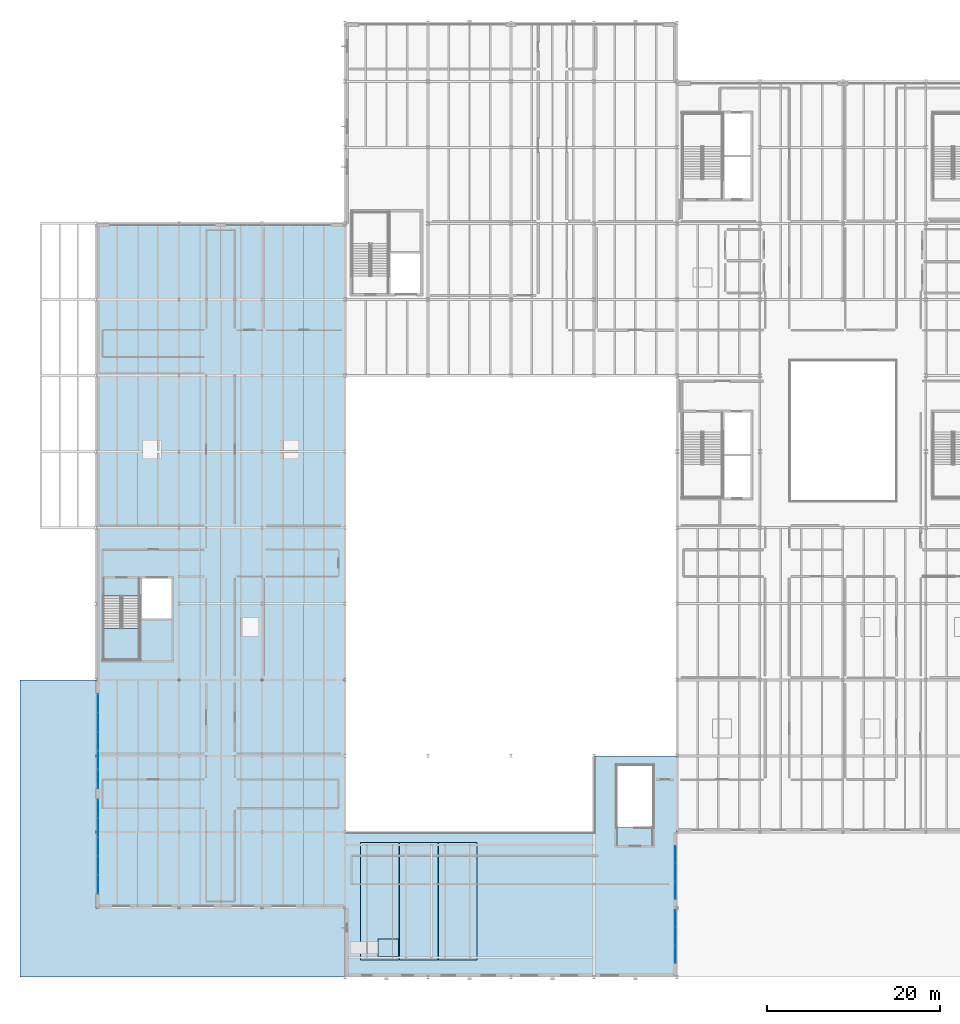
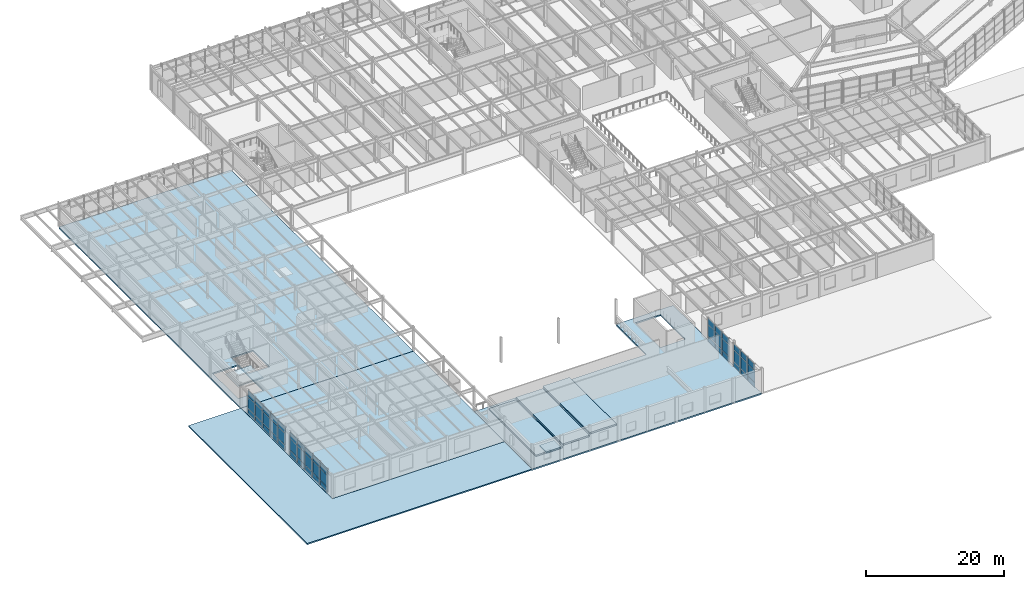
# One storey, part 46 of 77: 48 plates, 9 slabs, 5 elements without a shape of their own.
"""IFC4 building model written with IfcOpenShell, lengths in metres."""

from ifc_helpers import new_model, si_unit, direction, frame, origin, origin_2d, place, context, subcontext, project, spatial, polyline, rectangle, outline, extrude, material, layer, layer_set, type_object, element, aggregate, save


model = new_model("IFC4")

# Units and contexts
model_context = context("Model", 3, precision=1e-05, world=origin(), true_north=direction((0.0, 1.0)))
body_context = subcontext(model_context, "Body", "Model", "MODEL_VIEW")
ifc_project = project(units=[si_unit("LENGTHUNIT", "METRE"), si_unit("AREAUNIT", "SQUARE_METRE"), si_unit("VOLUMEUNIT", "CUBIC_METRE"), si_unit("PLANEANGLEUNIT", "RADIAN"), si_unit("MASSUNIT", "GRAM", prefix="KILO")], contexts=[model_context])

# Site, building, storey
site_placement = place(None, origin())
site = spatial("IfcSite", under=ifc_project, at=site_placement, CompositionType="ELEMENT")
building_placement = place(site_placement, origin())
building = spatial("IfcBuilding", under=site, at=building_placement, Name="Sarnbrook Museum", CompositionType="ELEMENT")
storey_placement = place(building_placement, frame((0.0, 0.0, 5.60009765625)))
storey = spatial("IfcBuildingStorey", under=building, at=storey_placement, Name="L01", CompositionType="ELEMENT", Elevation=5.60009765625)

# Curtain wall, plates
ifc_material_1 = material(Name="Thermally Broken Anodised Aluminium 6063-T6", Category="aluminium")
curtain_wall_type = type_object("IfcCurtainWallType", Name="CurtainWall_GalleryRibbon", PredefinedType="NOTDEFINED", material=ifc_material_1)
curtain_wall_1_placement = place(storey_placement, origin())
curtain_wall_1 = element("IfcCurtainWall", 1, at=curtain_wall_1_placement, inside=storey, type_object=curtain_wall_type, Name="Gallery Ribbon Curtain Wall L01-12.1", PredefinedType="NOTDEFINED")
ifc_material_2 = material(Name="Double-Glazed Low-Iron Laminated Safety Glass", Category="glass")
ifc_layer_1 = layer(ifc_material_2, 0.031982421875)
ifc_layer_set_1 = layer_set([ifc_layer_1], Name="Double-Glazed Low-Iron Laminated Safety Glass")
plate_type_1 = type_object("IfcPlateType", Name="CW_GlazedPanel_32", PredefinedType="CURTAIN_PANEL", material=ifc_layer_set_1)
plate_1_placement = place(storey_placement, frame((13.81787109375, 36.48388671875, 1.949951171875), z_axis=(-1.0, 0.0, 0.0), x_axis=(0.0, -1.0, 0.0)))
plate_1 = element("IfcPlate", 2, at=plate_1_placement, type_object=plate_type_1, Name="Gallery Ribbon Curtain Wall L01-12.1 Glazed Panel 1-2", PredefinedType="CURTAIN_PANEL", context=body_context, shape_type="SweptSolid", body=[
    extrude(rectangle(XDim=2.116943359375, YDim=2.030029296875, at=origin_2d()), origin(), (0.0, 0.0, 1.0), 0.031982421875),
])
plate_2_placement = place(storey_placement, frame((13.81787109375, 36.48388671875, 3.579833984375), z_axis=(-1.0, 0.0, 0.0), x_axis=(0.0, -1.0, 0.0)))
plate_2 = element("IfcPlate", 3, at=plate_2_placement, type_object=plate_type_1, Name="Gallery Ribbon Curtain Wall L01-12.1 Glazed Panel 1-3", PredefinedType="CURTAIN_PANEL", context=body_context, shape_type="SweptSolid", body=[
    extrude(rectangle(XDim=2.116943359375, YDim=1.090087890625, at=origin_2d()), origin(), (0.0, 0.0, 1.0), 0.031982421875),
])
plate_3_placement = place(storey_placement, frame((13.81787109375, 34.2919921875, 1.949951171875), z_axis=(-1.0, 0.0, 0.0), x_axis=(0.0, -1.0, 0.0)))
plate_3 = element("IfcPlate", 4, at=plate_3_placement, type_object=plate_type_1, Name="Gallery Ribbon Curtain Wall L01-12.1 Glazed Panel 2-2", PredefinedType="CURTAIN_PANEL", context=body_context, shape_type="SweptSolid", body=[
    extrude(rectangle(XDim=2.116943359375, YDim=2.030029296875, at=origin_2d()), origin(), (0.0, 0.0, 1.0), 0.031982421875),
])
plate_4_placement = place(storey_placement, frame((13.81787109375, 34.2919921875, 3.579833984375), z_axis=(-1.0, 0.0, 0.0), x_axis=(0.0, -1.0, 0.0)))
plate_4 = element("IfcPlate", 5, at=plate_4_placement, type_object=plate_type_1, Name="Gallery Ribbon Curtain Wall L01-12.1 Glazed Panel 2-3", PredefinedType="CURTAIN_PANEL", context=body_context, shape_type="SweptSolid", body=[
    extrude(rectangle(XDim=2.116943359375, YDim=1.090087890625, at=origin_2d()), origin(), (0.0, 0.0, 1.0), 0.031982421875),
])
plate_5_placement = place(storey_placement, frame((13.81787109375, 32.10009765625, 1.949951171875), z_axis=(-1.0, 0.0, 0.0), x_axis=(0.0, -1.0, 0.0)))
plate_5 = element("IfcPlate", 6, at=plate_5_placement, type_object=plate_type_1, Name="Gallery Ribbon Curtain Wall L01-12.1 Glazed Panel 3-2", PredefinedType="CURTAIN_PANEL", context=body_context, shape_type="SweptSolid", body=[
    extrude(rectangle(XDim=2.116943359375, YDim=2.030029296875, at=origin_2d()), origin(), (0.0, 0.0, 1.0), 0.031982421875),
])
plate_6_placement = place(storey_placement, frame((13.81787109375, 32.10009765625, 3.579833984375), z_axis=(-1.0, 0.0, 0.0), x_axis=(0.0, -1.0, 0.0)))
plate_6 = element("IfcPlate", 7, at=plate_6_placement, type_object=plate_type_1, Name="Gallery Ribbon Curtain Wall L01-12.1 Glazed Panel 3-3", PredefinedType="CURTAIN_PANEL", context=body_context, shape_type="SweptSolid", body=[
    extrude(rectangle(XDim=2.116943359375, YDim=1.090087890625, at=origin_2d()), origin(), (0.0, 0.0, 1.0), 0.031982421875),
])
plate_7_placement = place(storey_placement, frame((13.81787109375, 29.907958984375, 1.949951171875), z_axis=(-1.0, 0.0, 0.0), x_axis=(0.0, -1.0, 0.0)))
plate_7 = element("IfcPlate", 8, at=plate_7_placement, type_object=plate_type_1, Name="Gallery Ribbon Curtain Wall L01-12.1 Glazed Panel 4-2", PredefinedType="CURTAIN_PANEL", context=body_context, shape_type="SweptSolid", body=[
    extrude(rectangle(XDim=2.116943359375, YDim=2.030029296875, at=origin_2d()), origin(), (0.0, 0.0, 1.0), 0.031982421875),
])
plate_8_placement = place(storey_placement, frame((13.81787109375, 29.907958984375, 3.579833984375), z_axis=(-1.0, 0.0, 0.0), x_axis=(0.0, -1.0, 0.0)))
plate_8 = element("IfcPlate", 9, at=plate_8_placement, type_object=plate_type_1, Name="Gallery Ribbon Curtain Wall L01-12.1 Glazed Panel 4-3", PredefinedType="CURTAIN_PANEL", context=body_context, shape_type="SweptSolid", body=[
    extrude(rectangle(XDim=2.116943359375, YDim=1.090087890625, at=origin_2d()), origin(), (0.0, 0.0, 1.0), 0.031982421875),
])
plate_9_placement = place(storey_placement, frame((13.81787109375, 27.716064453125, 1.949951171875), z_axis=(-1.0, 0.0, 0.0), x_axis=(0.0, -1.0, 0.0)))
plate_9 = element("IfcPlate", 10, at=plate_9_placement, type_object=plate_type_1, Name="Gallery Ribbon Curtain Wall L01-12.1 Glazed Panel 5-2", PredefinedType="CURTAIN_PANEL", context=body_context, shape_type="SweptSolid", body=[
    extrude(rectangle(XDim=2.116943359375, YDim=2.030029296875, at=origin_2d()), origin(), (0.0, 0.0, 1.0), 0.031982421875),
])
plate_10_placement = place(storey_placement, frame((13.81787109375, 27.716064453125, 3.579833984375), z_axis=(-1.0, 0.0, 0.0), x_axis=(0.0, -1.0, 0.0)))
plate_10 = element("IfcPlate", 11, at=plate_10_placement, type_object=plate_type_1, Name="Gallery Ribbon Curtain Wall L01-12.1 Glazed Panel 5-3", PredefinedType="CURTAIN_PANEL", context=body_context, shape_type="SweptSolid", body=[
    extrude(rectangle(XDim=2.116943359375, YDim=1.090087890625, at=origin_2d()), origin(), (0.0, 0.0, 1.0), 0.031982421875),
])

curtain_wall_2_placement = place(storey_placement, origin())
curtain_wall_2 = element("IfcCurtainWall", 12, at=curtain_wall_2_placement, inside=storey, type_object=curtain_wall_type, Name="Gallery Ribbon Curtain Wall L01-12.2", PredefinedType="NOTDEFINED")
plate_11_placement = place(storey_placement, frame((13.81787109375, 24.283935546875, 1.949951171875), z_axis=(-1.0, 0.0, 0.0), x_axis=(0.0, -1.0, 0.0)))
plate_11 = element("IfcPlate", 13, at=plate_11_placement, type_object=plate_type_1, Name="Gallery Ribbon Curtain Wall L01-12.2 Glazed Panel 1-2", PredefinedType="CURTAIN_PANEL", context=body_context, shape_type="SweptSolid", body=[
    extrude(rectangle(XDim=2.116943359375, YDim=2.030029296875, at=origin_2d()), origin(), (0.0, 0.0, 1.0), 0.031982421875),
])
plate_12_placement = place(storey_placement, frame((13.81787109375, 24.283935546875, 3.579833984375), z_axis=(-1.0, 0.0, 0.0), x_axis=(0.0, -1.0, 0.0)))
plate_12 = element("IfcPlate", 14, at=plate_12_placement, type_object=plate_type_1, Name="Gallery Ribbon Curtain Wall L01-12.2 Glazed Panel 1-3", PredefinedType="CURTAIN_PANEL", context=body_context, shape_type="SweptSolid", body=[
    extrude(rectangle(XDim=2.116943359375, YDim=1.090087890625, at=origin_2d()), origin(), (0.0, 0.0, 1.0), 0.031982421875),
])
plate_13_placement = place(storey_placement, frame((13.81787109375, 22.092041015625, 1.949951171875), z_axis=(-1.0, 0.0, 0.0), x_axis=(0.0, -1.0, 0.0)))
plate_13 = element("IfcPlate", 15, at=plate_13_placement, type_object=plate_type_1, Name="Gallery Ribbon Curtain Wall L01-12.2 Glazed Panel 2-2", PredefinedType="CURTAIN_PANEL", context=body_context, shape_type="SweptSolid", body=[
    extrude(rectangle(XDim=2.116943359375, YDim=2.030029296875, at=origin_2d()), origin(), (0.0, 0.0, 1.0), 0.031982421875),
])
plate_14_placement = place(storey_placement, frame((13.81787109375, 22.092041015625, 3.579833984375), z_axis=(-1.0, 0.0, 0.0), x_axis=(0.0, -1.0, 0.0)))
plate_14 = element("IfcPlate", 16, at=plate_14_placement, type_object=plate_type_1, Name="Gallery Ribbon Curtain Wall L01-12.2 Glazed Panel 2-3", PredefinedType="CURTAIN_PANEL", context=body_context, shape_type="SweptSolid", body=[
    extrude(rectangle(XDim=2.116943359375, YDim=1.090087890625, at=origin_2d()), origin(), (0.0, 0.0, 1.0), 0.031982421875),
])
plate_15_placement = place(storey_placement, frame((13.81787109375, 19.89990234375, 1.949951171875), z_axis=(-1.0, 0.0, 0.0), x_axis=(0.0, -1.0, 0.0)))
plate_15 = element("IfcPlate", 17, at=plate_15_placement, type_object=plate_type_1, Name="Gallery Ribbon Curtain Wall L01-12.2 Glazed Panel 3-2", PredefinedType="CURTAIN_PANEL", context=body_context, shape_type="SweptSolid", body=[
    extrude(rectangle(XDim=2.116943359375, YDim=2.030029296875, at=origin_2d()), origin(), (0.0, 0.0, 1.0), 0.031982421875),
])
plate_16_placement = place(storey_placement, frame((13.81787109375, 19.89990234375, 3.579833984375), z_axis=(-1.0, 0.0, 0.0), x_axis=(0.0, -1.0, 0.0)))
plate_16 = element("IfcPlate", 18, at=plate_16_placement, type_object=plate_type_1, Name="Gallery Ribbon Curtain Wall L01-12.2 Glazed Panel 3-3", PredefinedType="CURTAIN_PANEL", context=body_context, shape_type="SweptSolid", body=[
    extrude(rectangle(XDim=2.116943359375, YDim=1.090087890625, at=origin_2d()), origin(), (0.0, 0.0, 1.0), 0.031982421875),
])
plate_17_placement = place(storey_placement, frame((13.81787109375, 17.7080078125, 1.949951171875), z_axis=(-1.0, 0.0, 0.0), x_axis=(0.0, -1.0, 0.0)))
plate_17 = element("IfcPlate", 19, at=plate_17_placement, type_object=plate_type_1, Name="Gallery Ribbon Curtain Wall L01-12.2 Glazed Panel 4-2", PredefinedType="CURTAIN_PANEL", context=body_context, shape_type="SweptSolid", body=[
    extrude(rectangle(XDim=2.116943359375, YDim=2.030029296875, at=origin_2d()), origin(), (0.0, 0.0, 1.0), 0.031982421875),
])
plate_18_placement = place(storey_placement, frame((13.81787109375, 17.7080078125, 3.579833984375), z_axis=(-1.0, 0.0, 0.0), x_axis=(0.0, -1.0, 0.0)))
plate_18 = element("IfcPlate", 20, at=plate_18_placement, type_object=plate_type_1, Name="Gallery Ribbon Curtain Wall L01-12.2 Glazed Panel 4-3", PredefinedType="CURTAIN_PANEL", context=body_context, shape_type="SweptSolid", body=[
    extrude(rectangle(XDim=2.116943359375, YDim=1.090087890625, at=origin_2d()), origin(), (0.0, 0.0, 1.0), 0.031982421875),
])
plate_19_placement = place(storey_placement, frame((13.81787109375, 15.51611328125, 1.949951171875), z_axis=(-1.0, 0.0, 0.0), x_axis=(0.0, -1.0, 0.0)))
plate_19 = element("IfcPlate", 21, at=plate_19_placement, type_object=plate_type_1, Name="Gallery Ribbon Curtain Wall L01-12.2 Glazed Panel 5-2", PredefinedType="CURTAIN_PANEL", context=body_context, shape_type="SweptSolid", body=[
    extrude(rectangle(XDim=2.116943359375, YDim=2.030029296875, at=origin_2d()), origin(), (0.0, 0.0, 1.0), 0.031982421875),
])
plate_20_placement = place(storey_placement, frame((13.81787109375, 15.51611328125, 3.579833984375), z_axis=(-1.0, 0.0, 0.0), x_axis=(0.0, -1.0, 0.0)))
plate_20 = element("IfcPlate", 22, at=plate_20_placement, type_object=plate_type_1, Name="Gallery Ribbon Curtain Wall L01-12.2 Glazed Panel 5-3", PredefinedType="CURTAIN_PANEL", context=body_context, shape_type="SweptSolid", body=[
    extrude(rectangle(XDim=2.116943359375, YDim=1.090087890625, at=origin_2d()), origin(), (0.0, 0.0, 1.0), 0.031982421875),
])

curtain_wall_3_placement = place(storey_placement, origin())
curtain_wall_3 = element("IfcCurtainWall", 23, at=curtain_wall_3_placement, inside=storey, type_object=curtain_wall_type, Name="Gallery Ribbon Curtain Wall L01-16.1", PredefinedType="NOTDEFINED")
plate_21_placement = place(storey_placement, frame((80.58203125, 7.44677734375, 1.949951171875), z_axis=(1.0, 0.0, 0.0), x_axis=(0.0, 1.0, 0.0)))
plate_21 = element("IfcPlate", 24, at=plate_21_placement, type_object=plate_type_1, Name="Gallery Ribbon Curtain Wall L01-16.1 Glazed Panel 1-2", PredefinedType="CURTAIN_PANEL", context=body_context, shape_type="SweptSolid", body=[
    extrude(rectangle(XDim=1.978271484375, YDim=2.030029296875, at=origin_2d()), origin(), (0.0, 0.0, 1.0), 0.031982421875),
])
plate_22_placement = place(storey_placement, frame((80.58203125, 7.44677734375, 3.579833984375), z_axis=(1.0, 0.0, 0.0), x_axis=(0.0, 1.0, 0.0)))
plate_22 = element("IfcPlate", 25, at=plate_22_placement, type_object=plate_type_1, Name="Gallery Ribbon Curtain Wall L01-16.1 Glazed Panel 1-3", PredefinedType="CURTAIN_PANEL", context=body_context, shape_type="SweptSolid", body=[
    extrude(rectangle(XDim=1.978271484375, YDim=1.090087890625, at=origin_2d()), origin(), (0.0, 0.0, 1.0), 0.031982421875),
])
plate_23_placement = place(storey_placement, frame((80.58203125, 9.5, 1.949951171875), z_axis=(1.0, 0.0, 0.0), x_axis=(0.0, 1.0, 0.0)))
plate_23 = element("IfcPlate", 26, at=plate_23_placement, type_object=plate_type_1, Name="Gallery Ribbon Curtain Wall L01-16.1 Glazed Panel 2-2", PredefinedType="CURTAIN_PANEL", context=body_context, shape_type="SweptSolid", body=[
    extrude(rectangle(XDim=1.978271484375, YDim=2.030029296875, at=origin_2d()), origin(), (0.0, 0.0, 1.0), 0.031982421875),
])
plate_24_placement = place(storey_placement, frame((80.58203125, 9.5, 3.579833984375), z_axis=(1.0, 0.0, 0.0), x_axis=(0.0, 1.0, 0.0)))
plate_24 = element("IfcPlate", 27, at=plate_24_placement, type_object=plate_type_1, Name="Gallery Ribbon Curtain Wall L01-16.1 Glazed Panel 2-3", PredefinedType="CURTAIN_PANEL", context=body_context, shape_type="SweptSolid", body=[
    extrude(rectangle(XDim=1.978271484375, YDim=1.090087890625, at=origin_2d()), origin(), (0.0, 0.0, 1.0), 0.031982421875),
])
plate_25_placement = place(storey_placement, frame((80.58203125, 11.55322265625, 1.949951171875), z_axis=(1.0, 0.0, 0.0), x_axis=(0.0, 1.0, 0.0)))
plate_25 = element("IfcPlate", 28, at=plate_25_placement, type_object=plate_type_1, Name="Gallery Ribbon Curtain Wall L01-16.1 Glazed Panel 3-2", PredefinedType="CURTAIN_PANEL", context=body_context, shape_type="SweptSolid", body=[
    extrude(rectangle(XDim=1.978271484375, YDim=2.030029296875, at=origin_2d()), origin(), (0.0, 0.0, 1.0), 0.031982421875),
])
plate_26_placement = place(storey_placement, frame((80.58203125, 11.55322265625, 3.579833984375), z_axis=(1.0, 0.0, 0.0), x_axis=(0.0, 1.0, 0.0)))
plate_26 = element("IfcPlate", 29, at=plate_26_placement, type_object=plate_type_1, Name="Gallery Ribbon Curtain Wall L01-16.1 Glazed Panel 3-3", PredefinedType="CURTAIN_PANEL", context=body_context, shape_type="SweptSolid", body=[
    extrude(rectangle(XDim=1.978271484375, YDim=1.090087890625, at=origin_2d()), origin(), (0.0, 0.0, 1.0), 0.031982421875),
])

curtain_wall_4_placement = place(storey_placement, origin())
curtain_wall_4 = element("IfcCurtainWall", 30, at=curtain_wall_4_placement, inside=storey, type_object=curtain_wall_type, Name="Gallery Ribbon Curtain Wall L01-16.2", PredefinedType="NOTDEFINED")
plate_27_placement = place(storey_placement, frame((80.58203125, 14.8466796875, 1.949951171875), z_axis=(1.0, 0.0, 0.0), x_axis=(0.0, 1.0, 0.0)))
plate_27 = element("IfcPlate", 31, at=plate_27_placement, type_object=plate_type_1, Name="Gallery Ribbon Curtain Wall L01-16.2 Glazed Panel 1-2", PredefinedType="CURTAIN_PANEL", context=body_context, shape_type="SweptSolid", body=[
    extrude(rectangle(XDim=1.978271484375, YDim=2.030029296875, at=origin_2d()), origin(), (0.0, 0.0, 1.0), 0.031982421875),
])
plate_28_placement = place(storey_placement, frame((80.58203125, 14.8466796875, 3.579833984375), z_axis=(1.0, 0.0, 0.0), x_axis=(0.0, 1.0, 0.0)))
plate_28 = element("IfcPlate", 32, at=plate_28_placement, type_object=plate_type_1, Name="Gallery Ribbon Curtain Wall L01-16.2 Glazed Panel 1-3", PredefinedType="CURTAIN_PANEL", context=body_context, shape_type="SweptSolid", body=[
    extrude(rectangle(XDim=1.978271484375, YDim=1.090087890625, at=origin_2d()), origin(), (0.0, 0.0, 1.0), 0.031982421875),
])
plate_29_placement = place(storey_placement, frame((80.58203125, 16.89990234375, 1.949951171875), z_axis=(1.0, 0.0, 0.0), x_axis=(0.0, 1.0, 0.0)))
plate_29 = element("IfcPlate", 33, at=plate_29_placement, type_object=plate_type_1, Name="Gallery Ribbon Curtain Wall L01-16.2 Glazed Panel 2-2", PredefinedType="CURTAIN_PANEL", context=body_context, shape_type="SweptSolid", body=[
    extrude(rectangle(XDim=1.978271484375, YDim=2.030029296875, at=origin_2d()), origin(), (0.0, 0.0, 1.0), 0.031982421875),
])
plate_30_placement = place(storey_placement, frame((80.58203125, 16.89990234375, 3.579833984375), z_axis=(1.0, 0.0, 0.0), x_axis=(0.0, 1.0, 0.0)))
plate_30 = element("IfcPlate", 34, at=plate_30_placement, type_object=plate_type_1, Name="Gallery Ribbon Curtain Wall L01-16.2 Glazed Panel 2-3", PredefinedType="CURTAIN_PANEL", context=body_context, shape_type="SweptSolid", body=[
    extrude(rectangle(XDim=1.978271484375, YDim=1.090087890625, at=origin_2d()), origin(), (0.0, 0.0, 1.0), 0.031982421875),
])
plate_31_placement = place(storey_placement, frame((80.58203125, 18.953369140625, 1.949951171875), z_axis=(1.0, 0.0, 0.0), x_axis=(0.0, 1.0, 0.0)))
plate_31 = element("IfcPlate", 35, at=plate_31_placement, type_object=plate_type_1, Name="Gallery Ribbon Curtain Wall L01-16.2 Glazed Panel 3-2", PredefinedType="CURTAIN_PANEL", context=body_context, shape_type="SweptSolid", body=[
    extrude(rectangle(XDim=1.978271484375, YDim=2.030029296875, at=origin_2d()), origin(), (0.0, 0.0, 1.0), 0.031982421875),
])
plate_32_placement = place(storey_placement, frame((80.58203125, 18.953369140625, 3.579833984375), z_axis=(1.0, 0.0, 0.0), x_axis=(0.0, 1.0, 0.0)))
plate_32 = element("IfcPlate", 36, at=plate_32_placement, type_object=plate_type_1, Name="Gallery Ribbon Curtain Wall L01-16.2 Glazed Panel 3-3", PredefinedType="CURTAIN_PANEL", context=body_context, shape_type="SweptSolid", body=[
    extrude(rectangle(XDim=1.978271484375, YDim=1.090087890625, at=origin_2d()), origin(), (0.0, 0.0, 1.0), 0.031982421875),
])

# Plate
ifc_material_3 = material(Name="Patinated Architectural Bronze")
ifc_layer_2 = layer(ifc_material_3, 0.044921875)
ifc_layer_set_2 = layer_set([ifc_layer_2], Name="Patinated Architectural Bronze")
plate_type_2 = type_object("IfcPlateType", Name="CW_SpandrelPanel_45", PredefinedType="CURTAIN_PANEL", material=ifc_layer_set_2)
plate_33_placement = place(storey_placement, frame((13.824462890625, 36.48388671875, 0.449951171875), z_axis=(-1.0, 0.0, 0.0), x_axis=(0.0, -1.0, 0.0)))
plate_33 = element("IfcPlate", 37, at=plate_33_placement, type_object=plate_type_2, Name="Gallery Ribbon Curtain Wall L01-12.1 Spandrel Panel 1-1", PredefinedType="CURTAIN_PANEL", context=body_context, shape_type="SweptSolid", body=[
    extrude(rectangle(XDim=2.116943359375, YDim=0.830078125, at=origin_2d()), origin(), (0.0, 0.0, 1.0), 0.044921875),
])

plate_34_placement = place(storey_placement, frame((13.824462890625, 34.2919921875, 0.449951171875), z_axis=(-1.0, 0.0, 0.0), x_axis=(0.0, -1.0, 0.0)))
plate_34 = element("IfcPlate", 38, at=plate_34_placement, type_object=plate_type_2, Name="Gallery Ribbon Curtain Wall L01-12.1 Spandrel Panel 2-1", PredefinedType="CURTAIN_PANEL", context=body_context, shape_type="SweptSolid", body=[
    extrude(rectangle(XDim=2.116943359375, YDim=0.830078125, at=origin_2d()), origin(), (0.0, 0.0, 1.0), 0.044921875),
])

plate_35_placement = place(storey_placement, frame((13.824462890625, 32.10009765625, 0.449951171875), z_axis=(-1.0, 0.0, 0.0), x_axis=(0.0, -1.0, 0.0)))
plate_35 = element("IfcPlate", 39, at=plate_35_placement, type_object=plate_type_2, Name="Gallery Ribbon Curtain Wall L01-12.1 Spandrel Panel 3-1", PredefinedType="CURTAIN_PANEL", context=body_context, shape_type="SweptSolid", body=[
    extrude(rectangle(XDim=2.116943359375, YDim=0.830078125, at=origin_2d()), origin(), (0.0, 0.0, 1.0), 0.044921875),
])

plate_36_placement = place(storey_placement, frame((13.824462890625, 29.907958984375, 0.449951171875), z_axis=(-1.0, 0.0, 0.0), x_axis=(0.0, -1.0, 0.0)))
plate_36 = element("IfcPlate", 40, at=plate_36_placement, type_object=plate_type_2, Name="Gallery Ribbon Curtain Wall L01-12.1 Spandrel Panel 4-1", PredefinedType="CURTAIN_PANEL", context=body_context, shape_type="SweptSolid", body=[
    extrude(rectangle(XDim=2.116943359375, YDim=0.830078125, at=origin_2d()), origin(), (0.0, 0.0, 1.0), 0.044921875),
])

plate_37_placement = place(storey_placement, frame((13.824462890625, 27.716064453125, 0.449951171875), z_axis=(-1.0, 0.0, 0.0), x_axis=(0.0, -1.0, 0.0)))
plate_37 = element("IfcPlate", 41, at=plate_37_placement, type_object=plate_type_2, Name="Gallery Ribbon Curtain Wall L01-12.1 Spandrel Panel 5-1", PredefinedType="CURTAIN_PANEL", context=body_context, shape_type="SweptSolid", body=[
    extrude(rectangle(XDim=2.116943359375, YDim=0.830078125, at=origin_2d()), origin(), (0.0, 0.0, 1.0), 0.044921875),
])

aggregate(curtain_wall_1, [plate_33, plate_1, plate_2, plate_34, plate_3, plate_4, plate_35, plate_5, plate_6, plate_36, plate_7, plate_8, plate_37, plate_9, plate_10])

plate_38_placement = place(storey_placement, frame((13.824462890625, 24.283935546875, 0.449951171875), z_axis=(-1.0, 0.0, 0.0), x_axis=(0.0, -1.0, 0.0)))
plate_38 = element("IfcPlate", 42, at=plate_38_placement, type_object=plate_type_2, Name="Gallery Ribbon Curtain Wall L01-12.2 Spandrel Panel 1-1", PredefinedType="CURTAIN_PANEL", context=body_context, shape_type="SweptSolid", body=[
    extrude(rectangle(XDim=2.116943359375, YDim=0.830078125, at=origin_2d()), origin(), (0.0, 0.0, 1.0), 0.044921875),
])

plate_39_placement = place(storey_placement, frame((13.824462890625, 22.092041015625, 0.449951171875), z_axis=(-1.0, 0.0, 0.0), x_axis=(0.0, -1.0, 0.0)))
plate_39 = element("IfcPlate", 43, at=plate_39_placement, type_object=plate_type_2, Name="Gallery Ribbon Curtain Wall L01-12.2 Spandrel Panel 2-1", PredefinedType="CURTAIN_PANEL", context=body_context, shape_type="SweptSolid", body=[
    extrude(rectangle(XDim=2.116943359375, YDim=0.830078125, at=origin_2d()), origin(), (0.0, 0.0, 1.0), 0.044921875),
])

plate_40_placement = place(storey_placement, frame((13.824462890625, 19.89990234375, 0.449951171875), z_axis=(-1.0, 0.0, 0.0), x_axis=(0.0, -1.0, 0.0)))
plate_40 = element("IfcPlate", 44, at=plate_40_placement, type_object=plate_type_2, Name="Gallery Ribbon Curtain Wall L01-12.2 Spandrel Panel 3-1", PredefinedType="CURTAIN_PANEL", context=body_context, shape_type="SweptSolid", body=[
    extrude(rectangle(XDim=2.116943359375, YDim=0.830078125, at=origin_2d()), origin(), (0.0, 0.0, 1.0), 0.044921875),
])

plate_41_placement = place(storey_placement, frame((13.824462890625, 17.7080078125, 0.449951171875), z_axis=(-1.0, 0.0, 0.0), x_axis=(0.0, -1.0, 0.0)))
plate_41 = element("IfcPlate", 45, at=plate_41_placement, type_object=plate_type_2, Name="Gallery Ribbon Curtain Wall L01-12.2 Spandrel Panel 4-1", PredefinedType="CURTAIN_PANEL", context=body_context, shape_type="SweptSolid", body=[
    extrude(rectangle(XDim=2.116943359375, YDim=0.830078125, at=origin_2d()), origin(), (0.0, 0.0, 1.0), 0.044921875),
])

plate_42_placement = place(storey_placement, frame((13.824462890625, 15.51611328125, 0.449951171875), z_axis=(-1.0, 0.0, 0.0), x_axis=(0.0, -1.0, 0.0)))
plate_42 = element("IfcPlate", 46, at=plate_42_placement, type_object=plate_type_2, Name="Gallery Ribbon Curtain Wall L01-12.2 Spandrel Panel 5-1", PredefinedType="CURTAIN_PANEL", context=body_context, shape_type="SweptSolid", body=[
    extrude(rectangle(XDim=2.116943359375, YDim=0.830078125, at=origin_2d()), origin(), (0.0, 0.0, 1.0), 0.044921875),
])

aggregate(curtain_wall_2, [plate_38, plate_11, plate_12, plate_39, plate_13, plate_14, plate_40, plate_15, plate_16, plate_41, plate_17, plate_18, plate_42, plate_19, plate_20])

plate_43_placement = place(storey_placement, frame((80.575439453125, 7.44677734375, 0.449951171875), z_axis=(1.0, 0.0, 0.0), x_axis=(0.0, 1.0, 0.0)))
plate_43 = element("IfcPlate", 47, at=plate_43_placement, type_object=plate_type_2, Name="Gallery Ribbon Curtain Wall L01-16.1 Spandrel Panel 1-1", PredefinedType="CURTAIN_PANEL", context=body_context, shape_type="SweptSolid", body=[
    extrude(rectangle(XDim=1.978271484375, YDim=0.830078125, at=origin_2d()), origin(), (0.0, 0.0, 1.0), 0.044921875),
])

plate_44_placement = place(storey_placement, frame((80.575439453125, 9.5, 0.449951171875), z_axis=(1.0, 0.0, 0.0), x_axis=(0.0, 1.0, 0.0)))
plate_44 = element("IfcPlate", 48, at=plate_44_placement, type_object=plate_type_2, Name="Gallery Ribbon Curtain Wall L01-16.1 Spandrel Panel 2-1", PredefinedType="CURTAIN_PANEL", context=body_context, shape_type="SweptSolid", body=[
    extrude(rectangle(XDim=1.978271484375, YDim=0.830078125, at=origin_2d()), origin(), (0.0, 0.0, 1.0), 0.044921875),
])

plate_45_placement = place(storey_placement, frame((80.575439453125, 11.55322265625, 0.449951171875), z_axis=(1.0, 0.0, 0.0), x_axis=(0.0, 1.0, 0.0)))
plate_45 = element("IfcPlate", 49, at=plate_45_placement, type_object=plate_type_2, Name="Gallery Ribbon Curtain Wall L01-16.1 Spandrel Panel 3-1", PredefinedType="CURTAIN_PANEL", context=body_context, shape_type="SweptSolid", body=[
    extrude(rectangle(XDim=1.978271484375, YDim=0.830078125, at=origin_2d()), origin(), (0.0, 0.0, 1.0), 0.044921875),
])

aggregate(curtain_wall_3, [plate_43, plate_21, plate_22, plate_44, plate_23, plate_24, plate_45, plate_25, plate_26])

plate_46_placement = place(storey_placement, frame((80.575439453125, 14.8466796875, 0.449951171875), z_axis=(1.0, 0.0, 0.0), x_axis=(0.0, 1.0, 0.0)))
plate_46 = element("IfcPlate", 50, at=plate_46_placement, type_object=plate_type_2, Name="Gallery Ribbon Curtain Wall L01-16.2 Spandrel Panel 1-1", PredefinedType="CURTAIN_PANEL", context=body_context, shape_type="SweptSolid", body=[
    extrude(rectangle(XDim=1.978271484375, YDim=0.830078125, at=origin_2d()), origin(), (0.0, 0.0, 1.0), 0.044921875),
])

plate_47_placement = place(storey_placement, frame((80.575439453125, 16.89990234375, 0.449951171875), z_axis=(1.0, 0.0, 0.0), x_axis=(0.0, 1.0, 0.0)))
plate_47 = element("IfcPlate", 51, at=plate_47_placement, type_object=plate_type_2, Name="Gallery Ribbon Curtain Wall L01-16.2 Spandrel Panel 2-1", PredefinedType="CURTAIN_PANEL", context=body_context, shape_type="SweptSolid", body=[
    extrude(rectangle(XDim=1.978271484375, YDim=0.830078125, at=origin_2d()), origin(), (0.0, 0.0, 1.0), 0.044921875),
])

plate_48_placement = place(storey_placement, frame((80.575439453125, 18.953369140625, 0.449951171875), z_axis=(1.0, 0.0, 0.0), x_axis=(0.0, 1.0, 0.0)))
plate_48 = element("IfcPlate", 52, at=plate_48_placement, type_object=plate_type_2, Name="Gallery Ribbon Curtain Wall L01-16.2 Spandrel Panel 3-1", PredefinedType="CURTAIN_PANEL", context=body_context, shape_type="SweptSolid", body=[
    extrude(rectangle(XDim=1.978271484375, YDim=0.830078125, at=origin_2d()), origin(), (0.0, 0.0, 1.0), 0.044921875),
])

aggregate(curtain_wall_4, [plate_46, plate_27, plate_28, plate_47, plate_29, plate_30, plate_48, plate_31, plate_32])

# Slabs
ifc_material_4 = material(Name="Concrete N40 (AS 3600, f'c = 40 MPa)", Category="concrete")
ifc_layer_3 = layer(ifc_material_4, 0.25)
ifc_layer_set_3 = layer_set([ifc_layer_3], Name="Concrete N40 (AS 3600, f'c = 40 MPa)")
slab_type_1 = type_object("IfcSlabType", Name="FloorSlab_250", PredefinedType="FLOOR", material=ifc_layer_set_3)
slab_1_placement = place(storey_placement, frame((0.0, 0.0, -0.25)))
element("IfcSlab", 53, at=slab_1_placement, inside=storey, type_object=slab_type_1, Name="V3 Structural Slab L01", PredefinedType="FLOOR", context=body_context, shape_type="SweptSolid", body=[
    extrude(outline(polyline([(71.199951171875, 21.60009765625), (71.199951171875, 30.39990234375), (80.764892578125, 30.39990234375), (80.764892578125, 4.800048828125), (42.39990234375, 4.800048828125), (42.39990234375, 21.60009765625), (71.199951171875, 21.60009765625)]), holes=[polyline([(78.0400390625, 29.300048828125), (78.0400390625, 22.120361328125), (73.840087890625, 22.120361328125), (73.840087890625, 29.300048828125), (78.0400390625, 29.300048828125)])]), origin(), (0.0, 0.0, 1.0), 0.25),
])
slab_2_placement = place(storey_placement, frame((0.0, 0.0, -0.25)))
element("IfcSlab", 54, at=slab_2_placement, inside=storey, type_object=slab_type_1, Name="V4 Structural Slab L01", PredefinedType="FLOOR", context=body_context, shape_type="SweptSolid", body=[
    extrude(outline(polyline([(42.39990234375, 39.199951171875), (13.60009765625, 39.199951171875), (13.60009765625, 92.0), (42.39990234375, 92.0), (42.39990234375, 39.199951171875)]), holes=[polyline([(18.639892578125, 41.5), (14.43994140625, 41.5), (14.43994140625, 48.879638671875), (18.639892578125, 48.879638671875), (18.639892578125, 41.5)]), polyline([(22.39990234375, 46.179931640625), (18.780029296875, 46.179931640625), (18.780029296875, 51.0), (22.39990234375, 51.0), (22.39990234375, 46.179931640625)])]), origin(), (0.0, 0.0, 1.0), 0.25),
])
ifc_layer_4 = layer(ifc_material_4, 0.320068359375)
ifc_layer_set_4 = layer_set([ifc_layer_4], Name="Concrete N40 (AS 3600, f'c = 40 MPa)")
slab_type_2 = type_object("IfcSlabType", Name="FloorSlab_320", PredefinedType="FLOOR", material=ifc_layer_set_4)
slab_3_placement = place(storey_placement, frame((0.0, 0.0, -0.320068359375)))
element("IfcSlab", 55, at=slab_3_placement, inside=storey, type_object=slab_type_2, Name="V5S Structural Slab L01", PredefinedType="FLOOR", context=body_context, shape_type="SweptSolid", body=[
    extrude(outline(polyline([(42.39990234375, 21.60400390625), (42.39599609375, 21.60400390625), (42.39599609375, 12.800048828125), (13.60009765625, 12.800048828125), (13.60009765625, 39.196044921875), (42.39990234375, 39.196044921875), (42.39990234375, 21.60400390625)])), origin(), (0.0, 0.0, 1.0), 0.320068359375),
])

# Stair, slab
stair_type = type_object("IfcStairType", Name="Stair_ST07", PredefinedType="HALF_TURN_STAIR", material=ifc_material_4)
stair_placement = place(storey_placement, origin())
stair = element("IfcStair", 56, at=stair_placement, inside=storey, type_object=stair_type, Name="L01 Exit Stair ST5", PredefinedType="HALF_TURN_STAIR")
ifc_layer_5 = layer(ifc_material_4, 0.199951171875)
ifc_layer_set_5 = layer_set([ifc_layer_5], Name="Concrete N40 (AS 3600, f'c = 40 MPa)")
slab_type_3 = type_object("IfcSlabType", Name="Landing_200", PredefinedType="LANDING", material=ifc_layer_set_5)
slab_4_placement = place(storey_placement, frame((0.0, 0.0, 2.0498046875)))
slab_4 = element("IfcSlab", 57, at=slab_4_placement, type_object=slab_type_3, Name="ST5 landing 1", PredefinedType="LANDING", context=body_context, shape_type="SweptSolid", body=[
    extrude(outline(polyline([(14.43994140625, 45.110107421875), (14.43994140625, 41.5), (18.639892578125, 41.5), (18.639892578125, 45.110107421875), (14.43994140625, 45.110107421875)])), origin(), (0.0, 0.0, 1.0), 0.2001953125),
])
aggregate(stair, [slab_4])

# Slabs
ifc_layer_6 = layer(ifc_material_4, 0.219970703125)
ifc_layer_set_6 = layer_set([ifc_layer_6], Name="Concrete N40 (AS 3600, f'c = 40 MPa)")
slab_type_4 = type_object("IfcSlabType", Name="PlinthSlab_220", PredefinedType="FLOOR", material=ifc_layer_set_6)
slab_5_placement = place(storey_placement, origin())
element("IfcSlab", 58, at=slab_5_placement, inside=storey, type_object=slab_type_4, Name="Accessible Exhibition Plinth Landing AR4", PredefinedType="FLOOR", context=body_context, shape_type="SweptSolid", body=[
    extrude(outline(polyline([(46.199951171875, 7.199951171875), (48.60009765625, 7.199951171875), (48.60009765625, 9.199951171875), (46.199951171875, 9.199951171875), (46.199951171875, 7.199951171875)])), origin(), (0.0, 0.0, 1.0), 0.219970703125),
])
ifc_layer_7 = layer(ifc_material_4, 0.2099609375)
ifc_layer_set_7 = layer_set([ifc_layer_7], Name="Concrete N40 (AS 3600, f'c = 40 MPa)")
slab_type_5 = type_object("IfcSlabType", Name="RoofSlab_Zinc210", PredefinedType="ROOF", material=ifc_layer_set_7)
slab_6_placement = place(storey_placement, frame((0.0, 0.0, -0.210205078125)))
element("IfcSlab", 59, at=slab_6_placement, inside=storey, type_object=slab_type_5, Name="West Dock Lower Roof Slab L01", PredefinedType="ROOF", context=body_context, shape_type="SweptSolid", body=[
    extrude(outline(polyline([(4.800048828125, 4.800048828125), (4.800048828125, 39.199951171875), (13.595947265625, 39.199951171875), (13.595947265625, 39.199951171875), (13.595947265625, 39.196044921875), (13.595947265625, 12.7958984375), (42.39599609375, 12.7958984375), (42.39599609375, 4.800048828125), (4.800048828125, 4.800048828125)])), origin(), (0.0, 0.0, 1.0), 0.210205078125),
])
ifc_material_5 = material(Name="Precast Concrete N40 (AS 3600, f'c = 40 MPa)", Category="concrete")
ifc_layer_8 = layer(ifc_material_5, 0.239990234375)
ifc_layer_set_8 = layer_set([ifc_layer_8], Name="Precast Concrete N40 (AS 3600, f'c = 40 MPa)")
slab_type_6 = type_object("IfcSlabType", Name="SeatingTier_ST1", PredefinedType="USERDEFINED", material=ifc_layer_set_8)
slab_7_placement = place(storey_placement, frame((0.0, 0.0, 0.35986328125)))
element("IfcSlab", 60, at=slab_7_placement, inside=storey, type_object=slab_type_6, Name="Auditorium Balcony Raked Seating Tier 1", ObjectType="SEATING TIER", PredefinedType="USERDEFINED", context=body_context, shape_type="SweptSolid", body=[
    extrude(outline(polyline([(44.199951171875, 6.800048828125), (48.64990234375, 6.800048828125), (48.64990234375, 20.39990234375), (44.199951171875, 20.39990234375), (44.199951171875, 6.800048828125)])), origin(), (0.0, 0.0, 1.0), 0.239990234375),
])
ifc_layer_9 = layer(ifc_material_5, 0.25)
ifc_layer_set_9 = layer_set([ifc_layer_9], Name="Precast Concrete N40 (AS 3600, f'c = 40 MPa)")
slab_type_7 = type_object("IfcSlabType", Name="SeatingTier_ST2", PredefinedType="USERDEFINED", material=ifc_layer_set_9)
slab_8_placement = place(storey_placement, frame((0.0, 0.0, 0.77001953125)))
element("IfcSlab", 61, at=slab_8_placement, inside=storey, type_object=slab_type_7, Name="Auditorium Balcony Raked Seating Tier 2", ObjectType="SEATING TIER", PredefinedType="USERDEFINED", context=body_context, shape_type="SweptSolid", body=[
    extrude(outline(polyline([(48.699951171875, 6.800048828125), (53.14990234375, 6.800048828125), (53.14990234375, 20.39990234375), (48.699951171875, 20.39990234375), (48.699951171875, 6.800048828125)])), origin(), (0.0, 0.0, 1.0), 0.25),
])
ifc_layer_10 = layer(ifc_material_5, 0.260009765625)
ifc_layer_set_10 = layer_set([ifc_layer_10], Name="Precast Concrete N40 (AS 3600, f'c = 40 MPa)")
slab_type_8 = type_object("IfcSlabType", Name="SeatingTier_ST3", PredefinedType="USERDEFINED", material=ifc_layer_set_10)
slab_9_placement = place(storey_placement, frame((0.0, 0.0, 1.179931640625)))
element("IfcSlab", 62, at=slab_9_placement, inside=storey, type_object=slab_type_8, Name="Auditorium Balcony Raked Seating Tier 3", ObjectType="SEATING TIER", PredefinedType="USERDEFINED", context=body_context, shape_type="SweptSolid", body=[
    extrude(outline(polyline([(53.199951171875, 6.800048828125), (57.64990234375, 6.800048828125), (57.64990234375, 20.39990234375), (53.199951171875, 20.39990234375), (53.199951171875, 6.800048828125)])), origin(), (0.0, 0.0, 1.0), 0.260009765625),
])

save(model, "model.ifc")
